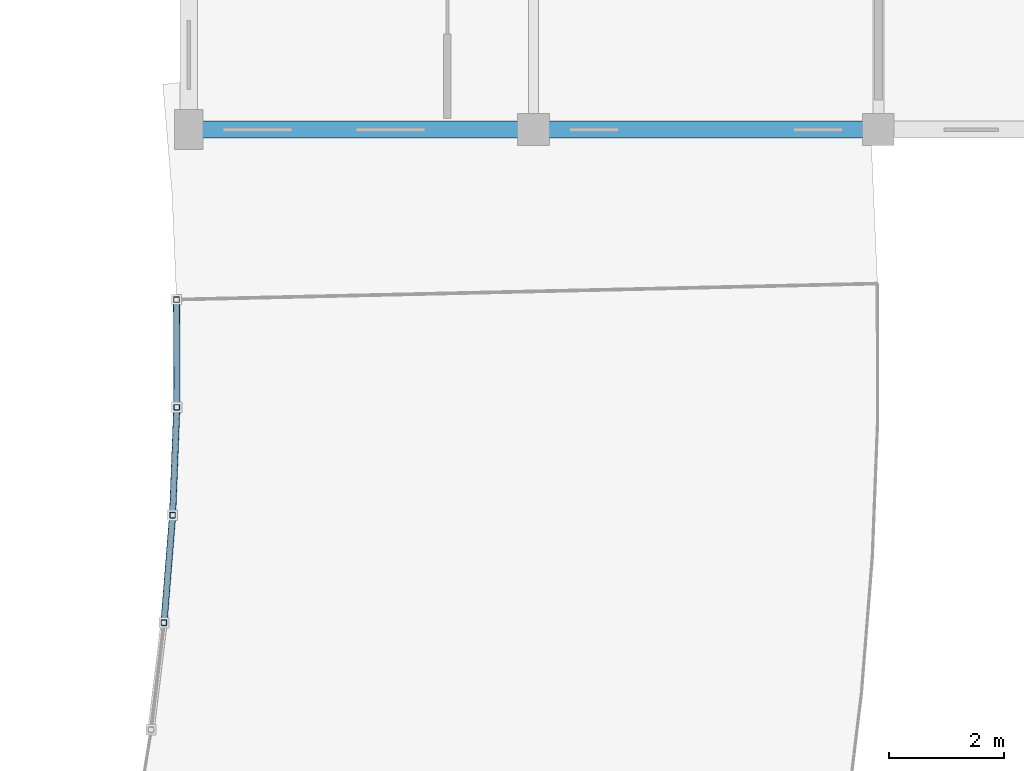
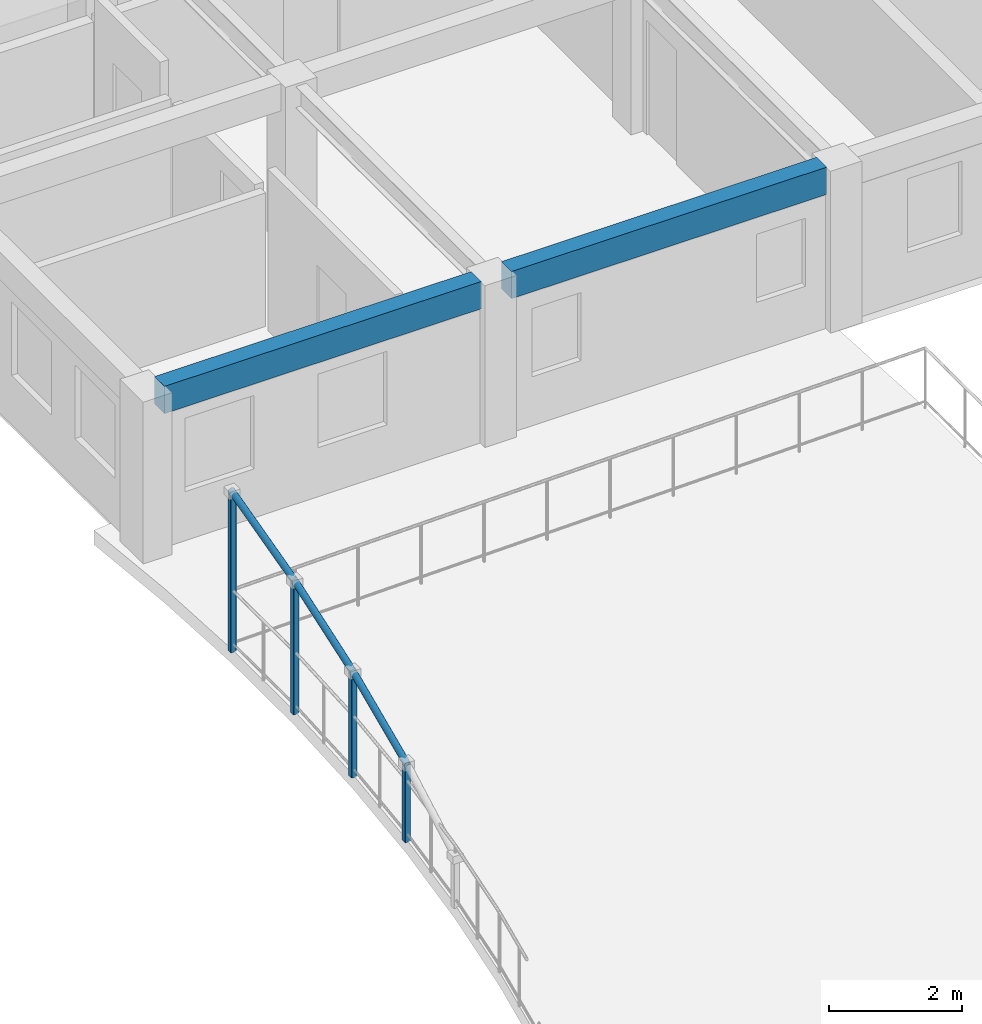
# One storey, part 11 of 58: 7 members, 2 beams.
"""IFC4 building model written with IfcOpenShell, lengths in metres."""

from ifc_helpers import new_model, si_unit, direction, frame, origin, origin_2d, place, context, subcontext, project, spatial, rectangle, hollow_rectangle, hollow_circle, extrude, material, material_profile, profile_set, type_object, element, save


model = new_model("IFC4")

# Units and contexts
model_context = context("Model", 3, precision=1e-05, world=origin(), true_north=direction((0.0, 1.0)))
body_context = subcontext(model_context, "Body", "Model", "MODEL_VIEW")
ifc_project = project(units=[si_unit("LENGTHUNIT", "METRE"), si_unit("AREAUNIT", "SQUARE_METRE"), si_unit("VOLUMEUNIT", "CUBIC_METRE"), si_unit("PLANEANGLEUNIT", "RADIAN"), si_unit("MASSUNIT", "GRAM", prefix="KILO"), si_unit("POWERUNIT", "WATT"), si_unit("THERMODYNAMICTEMPERATUREUNIT", "KELVIN")], contexts=[model_context])

# Site, building, storey
site_placement = place(None, origin())
site = spatial("IfcSite", under=ifc_project, at=site_placement, CompositionType="ELEMENT")
building_placement = place(site_placement, origin())
building = spatial("IfcBuilding", under=site, at=building_placement, Name="Ruvembo Vaulted Housing Court", CompositionType="ELEMENT")
storey_placement = place(building_placement, frame((0.0, 0.0, 20.5)))
storey = spatial("IfcBuildingStorey", under=building, at=storey_placement, Name="L06", CompositionType="ELEMENT", Elevation=20.5)

# Members
ifc_material_1 = material(Name="Steel S355J2", Category="steel")
ifc_material_profile_1 = material_profile(ifc_material_1, hollow_rectangle(XDim=0.10009765625, YDim=0.10009765625, WallThickness=0.00634765625, InnerFilletRadius=0.00634765625, OuterFilletRadius=0.0126953125, at=origin_2d()), Name="SHS 100x100x6.3")
ifc_profile_set_1 = profile_set([ifc_material_profile_1], Name="Steel S355J2")
member_type_1 = type_object("IfcMemberType", Name="MEM-FRM-SHS100", PredefinedType="STRUT", material=ifc_profile_set_1)
member_1_placement = place(storey_placement, frame((47.5703125, 69.419921875, -0.02001953125), z_axis=(0.0, 0.0, 1.0), x_axis=(1.0, 0.0, 0.0)))
element("IfcMember", 1, at=member_1_placement, inside=storey, type_object=member_type_1, Name="Scoop SC1 L06 Upswept Post 16A", PredefinedType="STRUT", context=body_context, shape_type="SweptSolid", body=[
    extrude(hollow_rectangle(XDim=0.10009765625, YDim=0.10009765625, WallThickness=0.00634765625, InnerFilletRadius=0.00634765625, OuterFilletRadius=0.0126953125, at=origin_2d()), origin(), (0.0, 0.0, 1.0), 1.419921875),
])
member_2_placement = place(storey_placement, frame((47.7197265625, 71.290771484375, -0.02001953125), z_axis=(0.0, 0.0, 1.0), x_axis=(1.0, 0.0, 0.0)))
element("IfcMember", 2, at=member_2_placement, inside=storey, type_object=member_type_1, Name="Scoop SC1 L06 Upswept Post 17A", PredefinedType="STRUT", context=body_context, shape_type="SweptSolid", body=[
    extrude(hollow_rectangle(XDim=0.10009765625, YDim=0.10009765625, WallThickness=0.00634765625, InnerFilletRadius=0.00634765625, OuterFilletRadius=0.0126953125, at=origin_2d()), origin(), (0.0, 0.0, 1.0), 1.919921875),
])
member_3_placement = place(storey_placement, frame((47.79248046875, 73.166015625, -0.02001953125), z_axis=(0.0, 0.0, 1.0), x_axis=(1.0, 0.0, 0.0)))
element("IfcMember", 3, at=member_3_placement, inside=storey, type_object=member_type_1, Name="Scoop SC1 L06 Upswept Post 18A", PredefinedType="STRUT", context=body_context, shape_type="SweptSolid", body=[
    extrude(hollow_rectangle(XDim=0.10009765625, YDim=0.10009765625, WallThickness=0.00634765625, InnerFilletRadius=0.00634765625, OuterFilletRadius=0.0126953125, at=origin_2d()), origin(), (0.0, 0.0, 1.0), 2.419921875),
])
member_4_placement = place(storey_placement, frame((47.7880859375, 75.04248046875, -0.02001953125), z_axis=(0.0, 0.0, 1.0), x_axis=(1.0, 0.0, 0.0)))
element("IfcMember", 4, at=member_4_placement, inside=storey, type_object=member_type_1, Name="Scoop SC1 L06 Upswept Post 18B", PredefinedType="STRUT", context=body_context, shape_type="SweptSolid", body=[
    extrude(hollow_rectangle(XDim=0.10009765625, YDim=0.10009765625, WallThickness=0.00634765625, InnerFilletRadius=0.00634765625, OuterFilletRadius=0.0126953125, at=origin_2d()), origin(), (0.0, 0.0, 1.0), 2.919921875),
])
ifc_material_profile_2 = material_profile(ifc_material_1, hollow_circle(Radius=0.05712890625, WallThickness=0.00634765625, at=origin_2d()), Name="CHS 114.3x6.3")
ifc_profile_set_2 = profile_set([ifc_material_profile_2], Name="Steel S355J2")
member_type_2 = type_object("IfcMemberType", Name="MEM-STR-CHS114", PredefinedType="STRUT", material=ifc_profile_set_2)
for number, where, z_axis, x_axis, name in (
    (5, (47.56787109375, 69.38916015625, 1.391845703125), (0.077034244945, 0.963232304488, 0.257389301831), (-0.996817280452, 0.079720194381, 0.0), "Scoop SC1 L06 Upswept Crest Tube 16"),
    (6, (47.718505859375, 71.259765625, 1.891845703125), (0.03748400033, 0.965578112388, 0.257398249017), (-0.999247344017, 0.038791048898, 0.0), "Scoop SC1 L06 Upswept Crest Tube 17"),
    (7, (47.79248046875, 73.135009765625, 2.391845703125), (-0.002190611975, 0.966303282334, 0.25739690707), (-0.99999743036, -0.002266996694, 0.0), "Scoop SC1 L06 Upswept Crest Tube 18"),
):
    element("IfcMember", number, at=place(storey_placement, frame(where, z_axis=z_axis, x_axis=x_axis)), inside=storey, type_object=member_type_2, Name=name, PredefinedType="STRUT", context=body_context, shape_type="SweptSolid", body=[
        extrude(hollow_circle(Radius=0.05712890625, WallThickness=0.00634765625, at=origin_2d()), origin(), (0.0, 0.0, 1.0), 2.006103515625),
    ])

# Beams
ifc_material_2 = material(Name="Concrete C35/45", Category="concrete")
ifc_material_profile_3 = material_profile(ifc_material_2, rectangle(XDim=0.300048828125, YDim=0.5, at=origin_2d()), Name="RC 300x500")
ifc_profile_set_3 = profile_set([ifc_material_profile_3], Name="Concrete C35/45")
beam_type = type_object("IfcBeamType", Name="SP-RC-300x500", PredefinedType="SPANDREL", material=ifc_profile_set_3)
beam_1_placement = place(storey_placement, frame((48.235107421875, 78.0, 2.719970703125), z_axis=(1.0, 0.0, 0.0), x_axis=(0.0, 1.0, 0.0)))
element("IfcBeam", 8, at=beam_1_placement, inside=storey, type_object=beam_type, Name="L06 Grid Beam X #2610", PredefinedType="SPANDREL", context=body_context, shape_type="SweptSolid", body=[
    extrude(rectangle(XDim=0.300048828125, YDim=0.5, at=origin_2d()), origin(), (0.0, 0.0, 1.0), 5.5048828125),
])
beam_2_placement = place(storey_placement, frame((54.260009765625, 78.0, 2.719970703125), z_axis=(1.0, 0.0, 0.0), x_axis=(0.0, 1.0, 0.0)))
element("IfcBeam", 9, at=beam_2_placement, inside=storey, type_object=beam_type, Name="L06 Grid Beam X #2611", PredefinedType="SPANDREL", context=body_context, shape_type="SweptSolid", body=[
    extrude(rectangle(XDim=0.300048828125, YDim=0.5, at=origin_2d()), origin(), (0.0, 0.0, 1.0), 5.47998046875),
])

save(model, "model.ifc")
